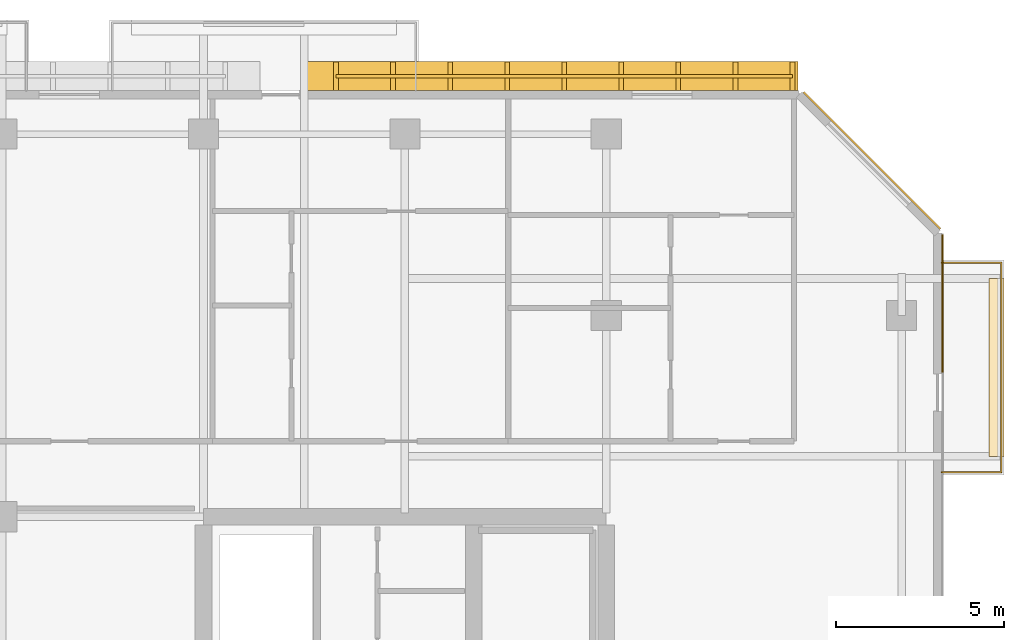
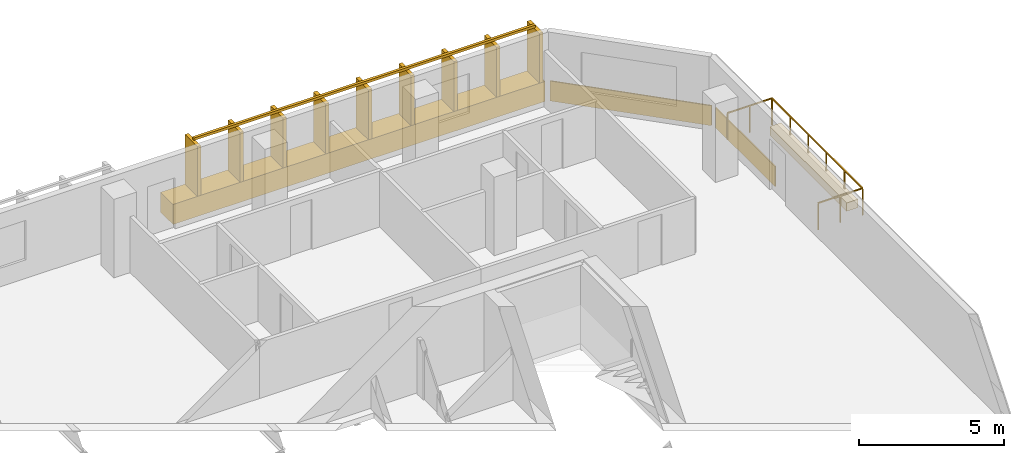
# One storey, part 21 of 21: 4 coverings, 2 railings.
"""IFC4 building model written with IfcOpenShell, lengths in metres."""

from ifc_helpers import new_model, si_unit, direction, frame, origin, origin_2d, place, context, subcontext, project, spatial, polyline, rectangle, outline, extrude, material, layer, layer_set, type_object, element, save


model = new_model("IFC4")

# Units and contexts
model_context = context("Model", 3, precision=1e-05, world=origin(), true_north=direction((0.0, 1.0)))
body_context = subcontext(model_context, "Body", "Model", "MODEL_VIEW")
ifc_project = project(units=[si_unit("LENGTHUNIT", "METRE"), si_unit("AREAUNIT", "SQUARE_METRE"), si_unit("VOLUMEUNIT", "CUBIC_METRE"), si_unit("PLANEANGLEUNIT", "RADIAN"), si_unit("MASSUNIT", "GRAM", prefix="KILO")], contexts=[model_context])

# Site, building, storey
site_placement = place(None, origin())
site = spatial("IfcSite", under=ifc_project, at=site_placement, CompositionType="ELEMENT")
building_placement = place(site_placement, origin())
building = spatial("IfcBuilding", under=site, at=building_placement, Name="Tanjung Sevakor Pilgrim Tower", CompositionType="ELEMENT")
storey_placement = place(building_placement, frame((0.0, 0.0, 145.199951171875)))
storey = spatial("IfcBuildingStorey", under=building, at=storey_placement, Name="L40", CompositionType="ELEMENT", Elevation=145.199951171875)

# Coverings
ifc_material_1 = material(Name="Reconstructed Limestone Cladding", Category="masonry")
ifc_layer_1 = layer(ifc_material_1, 0.044921875)
ifc_layer_set_1 = layer_set([ifc_layer_1], Name="COV-CLAD-LIMESTONE")
covering_type_1 = type_object("IfcCoveringType", Name="COV-CLAD-LIMESTONE", PredefinedType="CLADDING", material=ifc_layer_set_1)
covering_1_placement = place(storey_placement, frame((100.0224609375, 48.958984375, 0.009765625), z_axis=(0.0, 0.0, 1.0), x_axis=(0.0, 1.0, 0.0)))
element("IfcCovering", 1, at=covering_1_placement, inside=storey, type_object=covering_type_1, Name="L40 Warm Limestone Sill Spandrel EW-L40-MAIN-7-2", PredefinedType="CLADDING", context=body_context, shape_type="SweptSolid", body=[
    extrude(rectangle(XDim=4.09814453125, YDim=0.044921875, at=origin_2d()), origin(), (0.0, 0.0, 1.0), 0.840087890625),
])
covering_2_placement = place(storey_placement, frame((97.916015625, 53.2158203125, 0.009765625), z_axis=(0.0, 0.0, 1.0), x_axis=(-0.707106781187, 0.707106781187, 0.0)))
element("IfcCovering", 2, at=covering_2_placement, inside=storey, type_object=covering_type_1, Name="L40 Warm Limestone Sill Spandrel EW-CHM-L40-MAIN-7-1", PredefinedType="CLADDING", context=body_context, shape_type="SweptSolid", body=[
    extrude(rectangle(XDim=5.756103515625, YDim=0.044921875, at=origin_2d()), origin(), (0.0, 0.0, 1.0), 0.840087890625),
])
covering_3_placement = place(storey_placement, frame((88.30908203125, 55.72998046875, 0.009765625), z_axis=(0.0, 0.0, 1.0), x_axis=(-1.0, 0.0, 0.0)))
element("IfcCovering", 3, at=covering_3_placement, inside=storey, type_object=covering_type_1, Name="L40 Warm Limestone Sill Spandrel EW-L40-MAIN-9-1", PredefinedType="CLADDING", context=body_context, shape_type="SweptSolid", body=[
    extrude(rectangle(XDim=14.798095703125, YDim=0.860107421875, at=origin_2d()), origin(), (0.0, 0.0, 1.0), 0.840087890625),
])
ifc_material_2 = material(Name="Vegetated Modular Planter Assembly", Category="organic")
ifc_layer_2 = layer(ifc_material_2, 0.35009765625)
ifc_layer_set_2 = layer_set([ifc_layer_2], Name="COV-GRN-TROUGH")
covering_type_2 = type_object("IfcCoveringType", Name="COV-GRN-TROUGH", PredefinedType="CLADDING", material=ifc_layer_set_2)
covering_4_placement = place(storey_placement, origin())
element("IfcCovering", 4, at=covering_4_placement, inside=storey, type_object=covering_type_2, Name="L40 Planted Landscape Hedge Trough BGRN-L40-MAIN-E1", PredefinedType="CLADDING", context=body_context, shape_type="SweptSolid", body=[
    extrude(outline(polyline([(101.85009765625, 44.39990234375), (101.85009765625, 49.699951171875), (101.409912109375, 49.699951171875), (101.409912109375, 44.39990234375), (101.85009765625, 44.39990234375)])), origin(), (0.0, 0.0, 1.0), 0.35009765625),
])

# Railings
ifc_material_3 = material(Name="Laminated Glass and Aluminium", Category="aluminium")
railing_type_1 = type_object("IfcRailingType", Name="RL-BAL-BALUST", PredefinedType="BALUSTRADE", material=ifc_material_3)
railing_1_placement = place(storey_placement, frame((100.0, 43.929931640625, 0.0)))
element("IfcRailing", 5, at=railing_1_placement, inside=storey, type_object=railing_type_1, Name="L40 Loggia Balustrade MAIN-E1", PredefinedType="BALUSTRADE", context=body_context, shape_type="SweptSolid", body=[
    extrude(rectangle(XDim=0.0479, YDim=0.0479), frame((0.0, 0.0, 1.1259765625), z_axis=(1.0, 0.0, 0.0), x_axis=(0.0, 1.0, 0.0)), (0.0, 0.0, 1.0), 1.77001953125),
    extrude(rectangle(XDim=0.0479, YDim=0.0479), frame((1.77001953125, 0.0, 1.1259765625), z_axis=(0.0, 1.0, 0.0), x_axis=(-1.0, 0.0, 0.0)), (0.0, 0.0, 1.0), 6.239990234375),
    extrude(rectangle(XDim=0.0479, YDim=0.0479), frame((1.77001953125, 6.239990234375, 1.1259765625), z_axis=(-1.0, 0.0, 0.0), x_axis=(0.0, -1.0, 0.0)), (0.0, 0.0, 1.0), 1.77001953125),
    extrude(rectangle(XDim=0.042, YDim=0.042), origin(), (0.0, 0.0, 1.0), 1.101806640625),
    extrude(rectangle(XDim=0.042, YDim=0.042), frame((0.885009765625, 0.0, 0.0)), (0.0, 0.0, 1.0), 1.101806640625),
    extrude(rectangle(XDim=0.042, YDim=0.042), frame((1.77001953125, 0.0, 0.0)), (0.0, 0.0, 1.0), 1.101806640625),
    extrude(rectangle(XDim=0.042, YDim=0.042), frame((1.77001953125, 1.248046875, 0.0)), (0.0, 0.0, 1.0), 1.101806640625),
    extrude(rectangle(XDim=0.042, YDim=0.042), frame((1.77001953125, 2.49609375, 0.0)), (0.0, 0.0, 1.0), 1.101806640625),
    extrude(rectangle(XDim=0.042, YDim=0.042), frame((1.77001953125, 3.743896484375, 0.0)), (0.0, 0.0, 1.0), 1.101806640625),
    extrude(rectangle(XDim=0.042, YDim=0.042), frame((1.77001953125, 4.991943359375, 0.0)), (0.0, 0.0, 1.0), 1.101806640625),
    extrude(rectangle(XDim=0.042, YDim=0.042), frame((1.77001953125, 6.239990234375, 0.0)), (0.0, 0.0, 1.0), 1.101806640625),
    extrude(rectangle(XDim=0.042, YDim=0.042), frame((0.885009765625, 6.239990234375, 0.0)), (0.0, 0.0, 1.0), 1.101806640625),
    extrude(rectangle(XDim=0.042, YDim=0.042), frame((0.0, 6.239990234375, 0.0)), (0.0, 0.0, 1.0), 1.101806640625),
])
ifc_material_4 = material(Name="Anodised Bronze Aluminium 6063-T6", Category="aluminium")
railing_type_2 = type_object("IfcRailingType", Name="RL-FIN-SCREEN", PredefinedType="BALUSTRADE", material=ifc_material_4)
railing_2_placement = place(storey_placement, frame((95.548095703125, 55.72509765625, 0.840087890625)))
element("IfcRailing", 6, at=railing_2_placement, inside=storey, type_object=railing_type_2, Name="L40 Vertical Bronze-Gold Solar Fin Screen FNSCR-EW-L40-MAIN-9-1", PredefinedType="BALUSTRADE", context=body_context, shape_type="SweptSolid", body=[
    extrude(rectangle(XDim=0.105, YDim=0.105), frame((0.0, 0.0, 2.157470703125), z_axis=(-1.0, 0.0, 0.0), x_axis=(0.0, -1.0, 0.0)), (0.0, 0.0, 1.0), 13.59814453125),
    extrude(rectangle(XDim=0.14, YDim=0.85), origin(), (0.0, 0.0, 1.0), 2.10498046875),
    extrude(rectangle(XDim=0.14, YDim=0.85), frame((-1.69970703125, 0.0, 0.0)), (0.0, 0.0, 1.0), 2.10498046875),
    extrude(rectangle(XDim=0.14, YDim=0.85), frame((-3.3994140625, 0.0, 0.0)), (0.0, 0.0, 1.0), 2.10498046875),
    extrude(rectangle(XDim=0.14, YDim=0.85), frame((-5.099365234375, 0.0, 0.0)), (0.0, 0.0, 1.0), 2.10498046875),
    extrude(rectangle(XDim=0.14, YDim=0.85), frame((-6.799072265625, 0.0, 0.0)), (0.0, 0.0, 1.0), 2.10498046875),
    extrude(rectangle(XDim=0.14, YDim=0.85), frame((-8.498779296875, 0.0, 0.0)), (0.0, 0.0, 1.0), 2.10498046875),
    extrude(rectangle(XDim=0.14, YDim=0.85), frame((-10.19873046875, 0.0, 0.0)), (0.0, 0.0, 1.0), 2.10498046875),
    extrude(rectangle(XDim=0.14, YDim=0.85), frame((-11.8984375, 0.0, 0.0)), (0.0, 0.0, 1.0), 2.10498046875),
    extrude(rectangle(XDim=0.14, YDim=0.85), frame((-13.59814453125, 0.0, 0.0)), (0.0, 0.0, 1.0), 2.10498046875),
])

save(model, "model.ifc")
